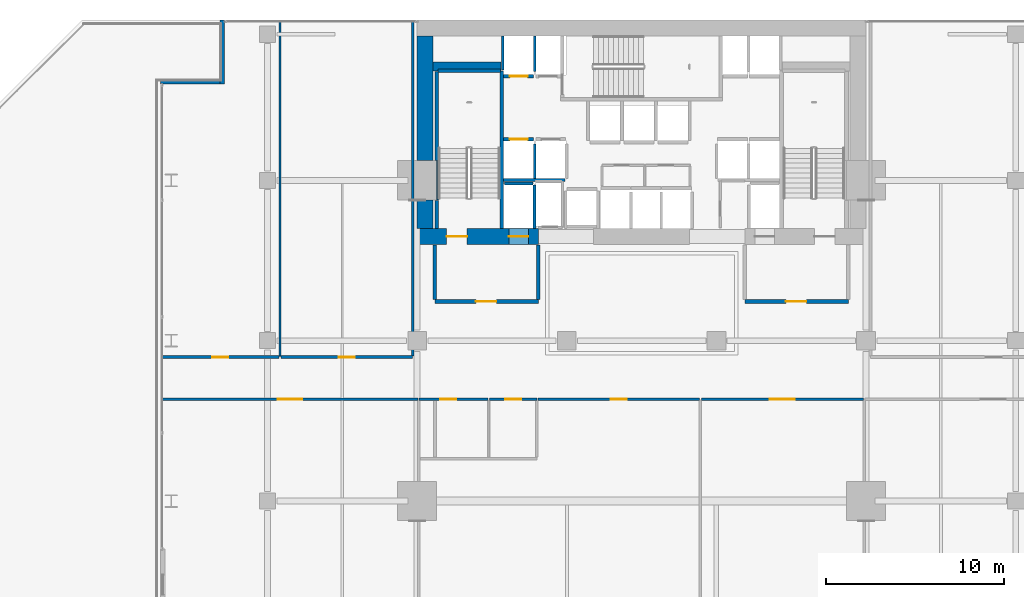
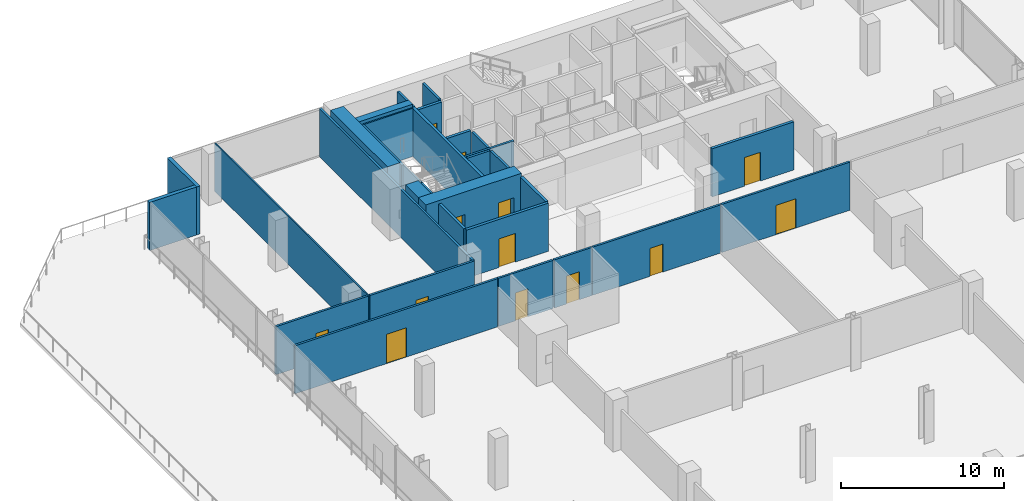
# One storey, part 25 of 31: 32 walls, 13 doors, 13 openings.
"""IFC4 building model written with IfcOpenShell, lengths in metres."""

from ifc_helpers import new_model, si_unit, direction, frame, frame_2d, origin, place, context, subcontext, project, spatial, rectangle, extrude, material, layer, layer_set, type_object, element, fill, save


model = new_model("IFC4")

# Units and contexts
model_context = context("Model", 3, precision=1e-05, world=origin(), true_north=direction((0.0, 1.0)))
body_context = subcontext(model_context, "Body", "Model", "MODEL_VIEW")
ifc_project = project(units=[si_unit("LENGTHUNIT", "METRE"), si_unit("AREAUNIT", "SQUARE_METRE"), si_unit("VOLUMEUNIT", "CUBIC_METRE"), si_unit("PLANEANGLEUNIT", "RADIAN"), si_unit("MASSUNIT", "GRAM", prefix="KILO")], contexts=[model_context])

# Site, building, storey
site_placement = place(None, origin())
site = spatial("IfcSite", under=ifc_project, at=site_placement, CompositionType="ELEMENT")
building_placement = place(site_placement, origin())
building = spatial("IfcBuilding", under=site, at=building_placement, Name="Maruvema Waterfront Hotel and Observation Tower", CompositionType="ELEMENT")
storey_placement = place(building_placement, frame((0.0, 0.0, 26.949951171875)))
storey = spatial("IfcBuildingStorey", under=building, at=storey_placement, Name="L05", CompositionType="ELEMENT", Elevation=26.949951171875)

# Wall, opening, door
ifc_material_1 = material(Name="Twin-stud acoustic gypsum drywall", Category="gypsum")
ifc_layer_1 = layer(ifc_material_1, 0.14990234375, Name="Acoustic Corridor and Suite Demising Wall 150 mm")
ifc_layer_set_1 = layer_set([ifc_layer_1], Name="Twin-stud acoustic gypsum drywall")
wall_type_1 = type_object("IfcWallType", Name="Acoustic Corridor and Suite Demising Wall 150 mm", PredefinedType="PARTITIONING", material=ifc_layer_set_1)
wall_1_placement = place(storey_placement, frame((25.300048828125, 32.719970703125, 0.0), z_axis=(0.0, 0.0, 1.0), x_axis=(1.0, 0.0, 0.0)))
wall_1 = element("IfcWall", 1, at=wall_1_placement, inside=storey, type_object=wall_type_1, Name="L05 L05 Public WC North 017", PredefinedType="PARTITIONING", context=body_context, shape_type="SweptSolid", body=[
    extrude(rectangle(XDim=3.8798828125, YDim=0.14990234375, at=frame_2d((1.93994140625, 0.0))), origin(), (0.0, 0.0, 1.0), 3.610107421875),
])
opening_1_placement = place(wall_1_placement, frame((1.199951171875, 0.0, 0.0)))
opening_1 = element("IfcOpeningElement", 2, at=opening_1_placement, cuts=wall_1, Name="Opening DR-090", PredefinedType="OPENING", context=body_context, shape_type="SweptSolid", body=[
    extrude(rectangle(XDim=0.89990234375, YDim=2.10009765625, at=frame_2d((0.449951171875, 1.050048828125))), frame((0.0, 0.0849609375, 0.0), z_axis=(0.0, -1.0, 0.0), x_axis=(1.0, 0.0, 0.0)), (0.0, 0.0, 1.0), 0.169921875),
])
ifc_material_2 = material(Name="Solid-core lacquered timber leaf", Category="wood")
door_type_1 = type_object("IfcDoorType", Name="Accessible Toilet and Room Door 900x2100 mm", OperationType="NOTDEFINED", PredefinedType="DOOR", material=ifc_material_2)
door_1_placement = place(opening_1_placement, origin())
door_1 = element("IfcDoor", 3, at=door_1_placement, inside=storey, type_object=door_type_1, Name="L05 Public Toilet Door", OperationType="SINGLE_SWING_RIGHT", OverallHeight=2.10009765625, OverallWidth=0.89990234375, PredefinedType="DOOR", context=body_context, shape_type="SweptSolid", body=[
    extrude(rectangle(XDim=0.89990234375, YDim=2.10009765625, at=frame_2d((0.449951171875, 1.050048828125))), frame((0.0, 0.02490234375, 0.0), z_axis=(0.0, -1.0, 0.0), x_axis=(1.0, 0.0, 0.0)), (0.0, 0.0, 1.0), 0.050048828125),
])
fill(opening_1, door_1)

wall_2_placement = place(storey_placement, frame((29.260009765625, 32.719970703125, 0.0), z_axis=(0.0, 0.0, 1.0), x_axis=(1.0, 0.0, 0.0)))
wall_2 = element("IfcWall", 4, at=wall_2_placement, inside=storey, type_object=wall_type_1, Name="L05 L05 Acc WC North 018", PredefinedType="PARTITIONING", context=body_context, shape_type="SweptSolid", body=[
    extrude(rectangle(XDim=2.659912109375, YDim=0.14990234375, at=frame_2d((1.330078125, 0.0))), origin(), (0.0, 0.0, 1.0), 3.610107421875),
])
opening_2_placement = place(wall_2_placement, frame((0.8798828125, 0.0, 0.0)))
opening_2 = element("IfcOpeningElement", 5, at=opening_2_placement, cuts=wall_2, Name="Opening DR-090", PredefinedType="OPENING", context=body_context, shape_type="SweptSolid", body=[
    extrude(rectangle(XDim=0.89990234375, YDim=2.10009765625, at=frame_2d((0.449951171875, 1.050048828125))), frame((0.0, 0.0849609375, 0.0), z_axis=(0.0, -1.0, 0.0), x_axis=(1.0, 0.0, 0.0)), (0.0, 0.0, 1.0), 0.169921875),
])
door_2_placement = place(opening_2_placement, origin())
door_2 = element("IfcDoor", 6, at=door_2_placement, inside=storey, type_object=door_type_1, Name="L05 Accessible WC Door", OperationType="SINGLE_SWING_LEFT", OverallHeight=2.10009765625, OverallWidth=0.89990234375, PredefinedType="DOOR", context=body_context, shape_type="SweptSolid", body=[
    extrude(rectangle(XDim=0.89990234375, YDim=2.10009765625, at=frame_2d((0.449951171875, 1.050048828125))), frame((0.0, 0.02490234375, 0.0), z_axis=(0.0, -1.0, 0.0), x_axis=(1.0, 0.0, 0.0)), (0.0, 0.0, 1.0), 0.050048828125),
])
fill(opening_2, door_2)

wall_3_placement = place(storey_placement, frame((10.8798828125, 32.719970703125, 0.0), z_axis=(0.0, 0.0, 1.0), x_axis=(1.0, 0.0, 0.0)))
wall_3 = element("IfcWall", 7, at=wall_3_placement, inside=storey, type_object=wall_type_1, Name="L05 L05 Spa North 025", PredefinedType="PARTITIONING", context=body_context, shape_type="SweptSolid", body=[
    extrude(rectangle(XDim=14.3701171875, YDim=0.14990234375, at=frame_2d((7.18505859375, 0.0))), origin(), (0.0, 0.0, 1.0), 3.610107421875),
])
opening_3_placement = place(wall_3_placement, frame((6.485107421875, 0.0, 0.0)))
opening_3 = element("IfcOpeningElement", 8, at=opening_3_placement, cuts=wall_3, Name="Opening DR-140", PredefinedType="OPENING", context=body_context, shape_type="SweptSolid", body=[
    extrude(rectangle(XDim=1.39990234375, YDim=2.199951171875, at=frame_2d((0.699951171875, 1.10009765625))), frame((0.0, 0.0849609375, 0.0), z_axis=(0.0, -1.0, 0.0), x_axis=(1.0, 0.0, 0.0)), (0.0, 0.0, 1.0), 0.169921875),
])
ifc_material_3 = material(Name="Anodised bronze framed acoustic glass leaf", Category="glass")
door_type_2 = type_object("IfcDoorType", Name="Conference and Restaurant Double Door 1400x2200 mm", OperationType="DOUBLE_DOOR_SINGLE_SWING", PredefinedType="DOOR", material=ifc_material_3)
door_3_placement = place(opening_3_placement, origin())
door_3 = element("IfcDoor", 9, at=door_3_placement, inside=storey, type_object=door_type_2, Name="L05 Wellness Spa Door", OperationType="DOUBLE_DOOR_SINGLE_SWING", OverallHeight=2.199951171875, OverallWidth=1.39990234375, PredefinedType="DOOR", context=body_context, shape_type="SweptSolid", body=[
    extrude(rectangle(XDim=1.39990234375, YDim=2.199951171875, at=frame_2d((0.699951171875, 1.10009765625))), frame((0.0, 0.02490234375, 0.0), z_axis=(0.0, -1.0, 0.0), x_axis=(1.0, 0.0, 0.0)), (0.0, 0.0, 1.0), 0.050048828125),
])
fill(opening_3, door_3)

wall_4_placement = place(storey_placement, frame((31.97998046875, 32.719970703125, 0.0), z_axis=(0.0, 0.0, 1.0), x_axis=(1.0, 0.0, 0.0)))
wall_4 = element("IfcWall", 10, at=wall_4_placement, inside=storey, type_object=wall_type_1, Name="L05 L05 Changing North 026", PredefinedType="PARTITIONING", context=body_context, shape_type="SweptSolid", body=[
    extrude(rectangle(XDim=9.070068359375, YDim=0.14990234375, at=frame_2d((4.53515625, 0.0))), origin(), (0.0, 0.0, 1.0), 3.610107421875),
])
opening_4_placement = place(wall_4_placement, frame((4.0849609375, 0.0, 0.0)))
opening_4 = element("IfcOpeningElement", 11, at=opening_4_placement, cuts=wall_4, Name="Opening DR-090", PredefinedType="OPENING", context=body_context, shape_type="SweptSolid", body=[
    extrude(rectangle(XDim=0.89990234375, YDim=2.10009765625, at=frame_2d((0.449951171875, 1.050048828125))), frame((0.0, 0.0849609375, 0.0), z_axis=(0.0, -1.0, 0.0), x_axis=(1.0, 0.0, 0.0)), (0.0, 0.0, 1.0), 0.169921875),
])
door_4_placement = place(opening_4_placement, origin())
door_4 = element("IfcDoor", 12, at=door_4_placement, inside=storey, type_object=door_type_1, Name="L05 Spa Changing Door", OperationType="SINGLE_SWING_RIGHT", OverallHeight=2.10009765625, OverallWidth=0.89990234375, PredefinedType="DOOR", context=body_context, shape_type="SweptSolid", body=[
    extrude(rectangle(XDim=0.89990234375, YDim=2.10009765625, at=frame_2d((0.449951171875, 1.050048828125))), frame((0.0, 0.02490234375, 0.0), z_axis=(0.0, -1.0, 0.0), x_axis=(1.0, 0.0, 0.0)), (0.0, 0.0, 1.0), 0.050048828125),
])
fill(opening_4, door_4)

wall_5_placement = place(storey_placement, frame((41.14990234375, 32.719970703125, 0.0), z_axis=(0.0, 0.0, 1.0), x_axis=(1.0, 0.0, 0.0)))
wall_5 = element("IfcWall", 13, at=wall_5_placement, inside=storey, type_object=wall_type_1, Name="L05 L05 Juice North 027", PredefinedType="PARTITIONING", context=body_context, shape_type="SweptSolid", body=[
    extrude(rectangle(XDim=9.10009765625, YDim=0.14990234375, at=frame_2d((4.550048828125, 0.0))), origin(), (0.0, 0.0, 1.0), 3.610107421875),
])
opening_5_placement = place(wall_5_placement, frame((3.85009765625, 0.0, 0.0)))
opening_5 = element("IfcOpeningElement", 14, at=opening_5_placement, cuts=wall_5, Name="Opening DR-140", PredefinedType="OPENING", context=body_context, shape_type="SweptSolid", body=[
    extrude(rectangle(XDim=1.39990234375, YDim=2.199951171875, at=frame_2d((0.699951171875, 1.10009765625))), frame((0.0, 0.0849609375, 0.0), z_axis=(0.0, -1.0, 0.0), x_axis=(1.0, 0.0, 0.0)), (0.0, 0.0, 1.0), 0.169921875),
])
door_5_placement = place(opening_5_placement, origin())
door_5 = element("IfcDoor", 15, at=door_5_placement, inside=storey, type_object=door_type_2, Name="L05 Juice Bar Door", OperationType="DOUBLE_DOOR_SINGLE_SWING", OverallHeight=2.199951171875, OverallWidth=1.39990234375, PredefinedType="DOOR", context=body_context, shape_type="SweptSolid", body=[
    extrude(rectangle(XDim=1.39990234375, YDim=2.199951171875, at=frame_2d((0.699951171875, 1.10009765625))), frame((0.0, 0.02490234375, 0.0), z_axis=(0.0, -1.0, 0.0), x_axis=(1.0, 0.0, 0.0)), (0.0, 0.0, 1.0), 0.050048828125),
])
fill(opening_5, door_5)

wall_6_placement = place(storey_placement, frame((10.8798828125, 35.080078125, 0.0), z_axis=(0.0, 0.0, 1.0), x_axis=(1.0, 0.0, 0.0)))
wall_6 = element("IfcWall", 16, at=wall_6_placement, inside=storey, type_object=wall_type_1, Name="L05 L05 Thalasso South 031", PredefinedType="PARTITIONING", context=body_context, shape_type="SweptSolid", body=[
    extrude(rectangle(XDim=6.56005859375, YDim=0.14990234375, at=frame_2d((3.280029296875, 0.0))), origin(), (0.0, 0.0, 1.0), 3.610107421875),
])
opening_6_placement = place(wall_6_placement, frame((2.830078125, 0.0, 0.0)))
opening_6 = element("IfcOpeningElement", 17, at=opening_6_placement, cuts=wall_6, Name="Opening DR-090", PredefinedType="OPENING", context=body_context, shape_type="SweptSolid", body=[
    extrude(rectangle(XDim=0.89990234375, YDim=2.10009765625, at=frame_2d((0.449951171875, 1.050048828125))), frame((0.0, 0.0849609375, 0.0), z_axis=(0.0, -1.0, 0.0), x_axis=(1.0, 0.0, 0.0)), (0.0, 0.0, 1.0), 0.169921875),
])
door_6_placement = place(opening_6_placement, frame((0.89990234375, 0.0, 0.0), z_axis=(0.0, 0.0, 1.0), x_axis=(-1.0, 0.0, 0.0)))
door_6 = element("IfcDoor", 18, at=door_6_placement, inside=storey, type_object=door_type_1, Name="L05 Thalasso Suite Door", OperationType="SINGLE_SWING_LEFT", OverallHeight=2.10009765625, OverallWidth=0.89990234375, PredefinedType="DOOR", context=body_context, shape_type="SweptSolid", body=[
    extrude(rectangle(XDim=0.89990234375, YDim=2.10009765625, at=frame_2d((0.449951171875, 1.050048828125))), frame((0.0, 0.02490234375, 0.0), z_axis=(0.0, -1.0, 0.0), x_axis=(1.0, 0.0, 0.0)), (0.0, 0.0, 1.0), 0.050048828125),
])
fill(opening_6, door_6)

wall_7_placement = place(storey_placement, frame((17.56005859375, 35.080078125, 0.0), z_axis=(0.0, 0.0, 1.0), x_axis=(1.0, 0.0, 0.0)))
wall_7 = element("IfcWall", 19, at=wall_7_placement, inside=storey, type_object=wall_type_1, Name="L05 L05 Hydro South 032", PredefinedType="PARTITIONING", context=body_context, shape_type="SweptSolid", body=[
    extrude(rectangle(XDim=7.389892578125, YDim=0.14990234375, at=frame_2d((3.69482421875, 0.0))), origin(), (0.0, 0.0, 1.0), 3.610107421875),
])
opening_7_placement = place(wall_7_placement, frame((3.2451171875, 0.0, 0.0)))
opening_7 = element("IfcOpeningElement", 20, at=opening_7_placement, cuts=wall_7, Name="Opening DR-090", PredefinedType="OPENING", context=body_context, shape_type="SweptSolid", body=[
    extrude(rectangle(XDim=0.89990234375, YDim=2.10009765625, at=frame_2d((0.449951171875, 1.050048828125))), frame((0.0, 0.0849609375, 0.0), z_axis=(0.0, -1.0, 0.0), x_axis=(1.0, 0.0, 0.0)), (0.0, 0.0, 1.0), 0.169921875),
])
door_7_placement = place(opening_7_placement, frame((0.89990234375, 0.0, 0.0), z_axis=(0.0, 0.0, 1.0), x_axis=(-1.0, 0.0, 0.0)))
door_7 = element("IfcDoor", 21, at=door_7_placement, inside=storey, type_object=door_type_1, Name="L05 Hydrotherapy Door", OperationType="SINGLE_SWING_RIGHT", OverallHeight=2.10009765625, OverallWidth=0.89990234375, PredefinedType="DOOR", context=body_context, shape_type="SweptSolid", body=[
    extrude(rectangle(XDim=0.89990234375, YDim=2.10009765625, at=frame_2d((0.449951171875, 1.050048828125))), frame((0.0, 0.02490234375, 0.0), z_axis=(0.0, -1.0, 0.0), x_axis=(1.0, 0.0, 0.0)), (0.0, 0.0, 1.0), 0.050048828125),
])
fill(opening_7, door_7)

# Walls
wall_8_placement = place(storey_placement, frame((24.949951171875, 35.139892578125, 0.0), z_axis=(0.0, 0.0, 1.0), x_axis=(0.0, 1.0, 0.0)))
element("IfcWall", 22, at=wall_8_placement, inside=storey, type_object=wall_type_1, Name="L05 L05 Hydro East 034", PredefinedType="PARTITIONING", context=body_context, shape_type="SweptSolid", body=[
    extrude(rectangle(XDim=18.780029296875, YDim=0.14990234375, at=frame_2d((9.39013671875, 0.0))), origin(), (0.0, 0.0, 1.0), 3.610107421875),
])
ifc_material_4 = material(Name="Precast concrete C45/55", Category="concrete")
ifc_layer_2 = layer(ifc_material_4, 0.199951171875, Name="Core Shaft and Stairwell Enclosure Wall 200 mm")
ifc_layer_set_2 = layer_set([ifc_layer_2], Name="Precast concrete C45/55")
wall_type_2 = type_object("IfcWallType", Name="Core Shaft and Stairwell Enclosure Wall 200 mm", PredefinedType="SOLIDWALL", material=ifc_layer_set_2)
wall_9_placement = place(storey_placement, frame((29.949951171875, 42.300048828125, 0.0), z_axis=(0.0, 0.0, 1.0), x_axis=(0.0, 1.0, 0.0)))
element("IfcWall", 23, at=wall_9_placement, inside=storey, type_object=wall_type_2, Name="L05 Stairwell ST-01 East Shaft Wall", PredefinedType="SOLIDWALL", context=body_context, shape_type="SweptSolid", body=[
    extrude(rectangle(XDim=8.849853515625, YDim=0.199951171875, at=frame_2d((4.4248046875, 0.0))), origin(), (0.0, 0.0, 1.0), 3.610107421875),
])
wall_10_placement = place(storey_placement, frame((26.300048828125, 42.300048828125, 0.0), z_axis=(0.0, 0.0, 1.0), x_axis=(0.0, 1.0, 0.0)))
element("IfcWall", 24, at=wall_10_placement, inside=storey, type_object=wall_type_2, Name="L05 Stairwell ST-01 Shaft Lining Wall", PredefinedType="SOLIDWALL", context=body_context, shape_type="SweptSolid", body=[
    extrude(rectangle(XDim=1.579833984375, YDim=0.199951171875, at=frame_2d((0.7900390625, 0.0))), origin(), (0.0, 0.0, 1.0), 3.610107421875),
])
wall_11_placement = place(storey_placement, frame((26.300048828125, 46.1201171875, 0.0), z_axis=(0.0, 0.0, 1.0), x_axis=(0.0, 1.0, 0.0)))
element("IfcWall", 25, at=wall_11_placement, inside=storey, type_object=wall_type_2, Name="L05 Stairwell ST-01 Shaft Lining Wall", PredefinedType="SOLIDWALL", context=body_context, shape_type="SweptSolid", body=[
    extrude(rectangle(XDim=5.0, YDim=0.199951171875, at=frame_2d((2.5, 0.0))), origin(), (0.0, 0.0, 1.0), 3.610107421875),
])
wall_12_placement = place(storey_placement, frame((26.3798828125, 51.14990234375, 0.0), z_axis=(0.0, 0.0, 1.0), x_axis=(1.0, 0.0, 0.0)))
element("IfcWall", 26, at=wall_12_placement, inside=storey, type_object=wall_type_2, Name="L05 Stairwell ST-01 Shaft Lining Wall", PredefinedType="SOLIDWALL", context=body_context, shape_type="SweptSolid", body=[
    extrude(rectangle(XDim=3.5, YDim=0.199951171875, at=frame_2d((1.75, 0.0))), origin(), (0.0, 0.0, 1.0), 3.610107421875),
])

# Wall, opening, door
wall_13_placement = place(storey_placement, frame((30.06005859375, 47.300048828125, 0.0), z_axis=(0.0, 0.0, 1.0), x_axis=(1.0, 0.0, 0.0)))
wall_13 = element("IfcWall", 27, at=wall_13_placement, inside=storey, type_object=wall_type_2, Name="L05 Lift LF-01 Hoistway Front Wall", PredefinedType="SOLIDWALL", context=body_context, shape_type="SweptSolid", body=[
    extrude(rectangle(XDim=1.679931640625, YDim=0.199951171875, at=frame_2d((0.83984375, 0.0))), origin(), (0.0, 0.0, 1.0), 3.610107421875),
])
opening_8_placement = place(wall_13_placement, frame((0.340087890625, 0.0, 0.0)))
opening_8 = element("IfcOpeningElement", 28, at=opening_8_placement, cuts=wall_13, Name="Opening LD-01", PredefinedType="OPENING", context=body_context, shape_type="SweptSolid", body=[
    extrude(rectangle(XDim=1.0, YDim=2.14990234375, at=frame_2d((0.5, 1.074951171875))), frame((0.0, 0.10986328125, 0.0), z_axis=(0.0, -1.0, 0.0), x_axis=(1.0, 0.0, 0.0)), (0.0, 0.0, 1.0), 0.219970703125),
])
ifc_material_5 = material(Name="Brushed stainless steel Grade 316", Category="steel")
door_type_3 = type_object("IfcDoorType", Name="Passenger Lift Sliding Landing Door 1000x2150 mm", OperationType="SLIDING_TO_LEFT", PredefinedType="DOOR", material=ifc_material_5)
door_8_placement = place(opening_8_placement, origin())
door_8 = element("IfcDoor", 29, at=door_8_placement, inside=storey, type_object=door_type_3, Name="L05 Lift LF-01 Sliding Landing Door", OperationType="SLIDING_TO_LEFT", OverallHeight=2.14990234375, OverallWidth=1.0, PredefinedType="DOOR", context=body_context, shape_type="SweptSolid", body=[
    extrude(rectangle(XDim=1.0, YDim=2.14990234375, at=frame_2d((0.5, 1.074951171875))), frame((0.0, 0.02490234375, 0.0), z_axis=(0.0, -1.0, 0.0), x_axis=(1.0, 0.0, 0.0)), (0.0, 0.0, 1.0), 0.050048828125),
])
fill(opening_8, door_8)

wall_14_placement = place(storey_placement, frame((30.06005859375, 50.85009765625, 0.0), z_axis=(0.0, 0.0, 1.0), x_axis=(1.0, 0.0, 0.0)))
wall_14 = element("IfcWall", 30, at=wall_14_placement, inside=storey, type_object=wall_type_2, Name="L05 Lift LF-03 Hoistway Front Wall", PredefinedType="SOLIDWALL", context=body_context, shape_type="SweptSolid", body=[
    extrude(rectangle(XDim=1.679931640625, YDim=0.199951171875, at=frame_2d((0.83984375, 0.0))), origin(), (0.0, 0.0, 1.0), 3.610107421875),
])
opening_9_placement = place(wall_14_placement, frame((0.340087890625, 0.0, 0.0)))
opening_9 = element("IfcOpeningElement", 31, at=opening_9_placement, cuts=wall_14, Name="Opening LD-01", PredefinedType="OPENING", context=body_context, shape_type="SweptSolid", body=[
    extrude(rectangle(XDim=1.0, YDim=2.14990234375, at=frame_2d((0.5, 1.074951171875))), frame((0.0, 0.10986328125, 0.0), z_axis=(0.0, -1.0, 0.0), x_axis=(1.0, 0.0, 0.0)), (0.0, 0.0, 1.0), 0.219970703125),
])
door_9_placement = place(opening_9_placement, frame((1.0, 0.0, 0.0), z_axis=(0.0, 0.0, 1.0), x_axis=(-1.0, 0.0, 0.0)))
door_9 = element("IfcDoor", 32, at=door_9_placement, inside=storey, type_object=door_type_3, Name="L05 Lift LF-03 Sliding Landing Door", OperationType="SLIDING_TO_LEFT", OverallHeight=2.14990234375, OverallWidth=1.0, PredefinedType="DOOR", context=body_context, shape_type="SweptSolid", body=[
    extrude(rectangle(XDim=1.0, YDim=2.14990234375, at=frame_2d((0.5, 1.074951171875))), frame((0.0, 0.02490234375, 0.0), z_axis=(0.0, -1.0, 0.0), x_axis=(1.0, 0.0, 0.0)), (0.0, 0.0, 1.0), 0.050048828125),
])
fill(opening_9, door_9)

# Wall
ifc_material_6 = material(Name="Concrete C70/85", Category="concrete")
ifc_layer_3 = layer(ifc_material_6, 0.5, Name="Core Shear Wall 500 mm")
ifc_layer_set_3 = layer_set([ifc_layer_3], Name="Concrete C70/85")
wall_type_3 = type_object("IfcWallType", Name="Core Shear Wall 500 mm", PredefinedType="SHEAR", material=ifc_layer_set_3)
wall_15_placement = place(storey_placement, frame((26.10009765625, 51.39990234375, 0.0), z_axis=(0.0, 0.0, 1.0), x_axis=(1.0, 0.0, 0.0)))
element("IfcWall", 33, at=wall_15_placement, inside=storey, type_object=wall_type_3, Name="L05 Internal Core Shear Wall NW 500 mm", PredefinedType="SHEAR", context=body_context, shape_type="SweptSolid", body=[
    extrude(rectangle(XDim=3.7998046875, YDim=0.5, at=frame_2d((1.89990234375, 0.0))), origin(), (0.0, 0.0, 1.0), 3.85009765625),
])

# Wall, openings, doors
ifc_material_7 = material(Name="Concrete C80/95", Category="concrete")
ifc_layer_4 = layer(ifc_material_7, 0.89990234375, Name="Core Shear Wall 900 mm")
ifc_layer_set_4 = layer_set([ifc_layer_4], Name="Concrete C80/95")
wall_type_4 = type_object("IfcWallType", Name="Core Shear Wall 900 mm", PredefinedType="SHEAR", material=ifc_layer_set_4)
wall_16_placement = place(storey_placement, frame((25.199951171875, 41.85009765625, 0.0), z_axis=(0.0, 0.0, 1.0), x_axis=(1.0, 0.0, 0.0)))
wall_16 = element("IfcWall", 34, at=wall_16_placement, inside=storey, type_object=wall_type_4, Name="L05 South-West Core Shear Wall", PredefinedType="SHEAR", context=body_context, shape_type="SweptSolid", body=[
    extrude(rectangle(XDim=6.800048828125, YDim=0.89990234375, at=frame_2d((3.39990234375, 0.0))), origin(), (0.0, 0.0, 1.0), 3.85009765625),
])
opening_10_placement = place(wall_16_placement, frame((1.64990234375, 0.0, 0.0)))
opening_10 = element("IfcOpeningElement", 35, at=opening_10_placement, cuts=wall_16, Name="Opening SD-01", PredefinedType="OPENING", context=body_context, shape_type="SweptSolid", body=[
    extrude(rectangle(XDim=1.14990234375, YDim=2.14990234375, at=frame_2d((0.574951171875, 1.074951171875))), frame((0.0, 0.4599609375, 0.0), z_axis=(0.0, -1.0, 0.0), x_axis=(1.0, 0.0, 0.0)), (0.0, 0.0, 1.0), 0.919921875),
])
opening_11_placement = place(wall_16_placement, frame((5.14990234375, 0.0, 0.0)))
opening_11 = element("IfcOpeningElement", 36, at=opening_11_placement, cuts=wall_16, Name="Opening LD-03", PredefinedType="OPENING", context=body_context, shape_type="SweptSolid", body=[
    extrude(rectangle(XDim=1.10009765625, YDim=2.199951171875, at=frame_2d((0.550048828125, 1.10009765625))), frame((0.0, 0.4599609375, 0.0), z_axis=(0.0, -1.0, 0.0), x_axis=(1.0, 0.0, 0.0)), (0.0, 0.0, 1.0), 0.919921875),
])
ifc_material_8 = material(Name="Fire-rated galvanised steel leaf", Category="steel")
door_type_4 = type_object("IfcDoorType", Name="Exit Stair Fire Door 1150x2150 mm", OperationType="NOTDEFINED", PredefinedType="DOOR", material=ifc_material_8)
door_10_placement = place(opening_10_placement, origin())
door_10 = element("IfcDoor", 37, at=door_10_placement, inside=storey, type_object=door_type_4, Name="L05 Exit Stair ST-01 Fire Door", OperationType="SINGLE_SWING_LEFT", OverallHeight=2.14990234375, OverallWidth=1.14990234375, PredefinedType="DOOR", context=body_context, shape_type="SweptSolid", body=[
    extrude(rectangle(XDim=1.14990234375, YDim=2.14990234375, at=frame_2d((0.574951171875, 1.074951171875))), frame((0.0, 0.02490234375, 0.0), z_axis=(0.0, -1.0, 0.0), x_axis=(1.0, 0.0, 0.0)), (0.0, 0.0, 1.0), 0.050048828125),
])
fill(opening_10, door_10)
ifc_material_9 = material(Name="Brushed stainless steel Grade 316", Category="steel")
door_type_5 = type_object("IfcDoorType", Name="Firefighting Lift Sliding Landing Door 1100x2200 mm", OperationType="SLIDING_TO_LEFT", PredefinedType="DOOR", material=ifc_material_9)
door_11_placement = place(opening_11_placement, frame((1.10009765625, 0.0, 0.0), z_axis=(0.0, 0.0, 1.0), x_axis=(-1.0, 0.0, 0.0)))
door_11 = element("IfcDoor", 38, at=door_11_placement, inside=storey, type_object=door_type_5, Name="L05 Firefighting Lift FL-01 Landing Door", OperationType="SLIDING_TO_LEFT", OverallHeight=2.199951171875, OverallWidth=1.10009765625, PredefinedType="DOOR", context=body_context, shape_type="SweptSolid", body=[
    extrude(rectangle(XDim=1.10009765625, YDim=2.199951171875, at=frame_2d((0.550048828125, 1.10009765625))), frame((0.0, 0.02490234375, 0.0), z_axis=(0.0, -1.0, 0.0), x_axis=(1.0, 0.0, 0.0)), (0.0, 0.0, 1.0), 0.050048828125),
])
fill(opening_11, door_11)

# Walls
wall_17_placement = place(storey_placement, frame((25.64990234375, 42.300048828125, 0.0), z_axis=(0.0, 0.0, 1.0), x_axis=(0.0, 1.0, 0.0)))
element("IfcWall", 39, at=wall_17_placement, inside=storey, type_object=wall_type_4, Name="L05 West-South Core Shear Wall", PredefinedType="SHEAR", context=body_context, shape_type="SweptSolid", body=[
    extrude(rectangle(XDim=1.599853515625, YDim=0.89990234375, at=frame_2d((0.7998046875, 0.0))), origin(), (0.0, 0.0, 1.0), 3.85009765625),
])
wall_18_placement = place(storey_placement, frame((25.64990234375, 46.10009765625, 0.0), z_axis=(0.0, 0.0, 1.0), x_axis=(0.0, 1.0, 0.0)))
element("IfcWall", 40, at=wall_18_placement, inside=storey, type_object=wall_type_4, Name="L05 West-North Core Shear Wall", PredefinedType="SHEAR", context=body_context, shape_type="SweptSolid", body=[
    extrude(rectangle(XDim=7.0, YDim=0.89990234375, at=frame_2d((3.5, 0.0))), origin(), (0.0, 0.0, 1.0), 3.85009765625),
])
ifc_material_10 = material(Name="Moisture-resistant cement-board drywall", Category="gypsum")
ifc_layer_5 = layer(ifc_material_10, 0.10009765625, Name="En-Suite Moisture-Resistant Partition 100 mm")
ifc_layer_set_5 = layer_set([ifc_layer_5], Name="Moisture-resistant cement-board drywall")
wall_type_5 = type_object("IfcWallType", Name="En-Suite Moisture-Resistant Partition 100 mm", PredefinedType="PARTITIONING", material=ifc_layer_set_5)
wall_19_placement = place(storey_placement, frame((17.5, 35.139892578125, 0.0), z_axis=(0.0, 0.0, 1.0), x_axis=(0.0, 1.0, 0.0)))
element("IfcWall", 41, at=wall_19_placement, inside=storey, type_object=wall_type_5, Name="L05 L05 Hydro Split 033", PredefinedType="PARTITIONING", context=body_context, shape_type="SweptSolid", body=[
    extrude(rectangle(XDim=18.780029296875, YDim=0.10009765625, at=frame_2d((9.39013671875, 0.0))), origin(), (0.0, 0.0, 1.0), 3.610107421875),
])
ifc_material_11 = material(Name="Precast concrete C45/55 with honed Pernambuco granite facing", Category="masonry")
ifc_layer_6 = layer(ifc_material_11, 0.260009765625, Name="Exterior Granite Clad Spandrel and Pier Wall 260 mm")
ifc_layer_set_6 = layer_set([ifc_layer_6], Name="Precast concrete C45/55 with honed Pernambuco granite facing")
wall_type_6 = type_object("IfcWallType", Name="Exterior Granite Clad Spandrel and Pier Wall 260 mm", PredefinedType="SOLIDWALL", material=ifc_layer_set_6)
wall_20_placement = place(storey_placement, frame((14.27001953125, 50.39990234375, 0.0), z_axis=(0.0, 0.0, 1.0), x_axis=(0.0, 1.0, 0.0)))
element("IfcWall", 42, at=wall_20_placement, inside=storey, type_object=wall_type_6, Name="L05 Corner Notch Granite Pier Wall NW1", PredefinedType="SOLIDWALL", context=body_context, shape_type="SweptSolid", body=[
    extrude(rectangle(XDim=3.60009765625, YDim=0.260009765625, at=frame_2d((1.800048828125, 0.0))), origin(), (0.0, 0.0, 1.0), 3.610107421875),
])
wall_21_placement = place(storey_placement, frame((10.800048828125, 50.530029296875, 0.0), z_axis=(0.0, 0.0, 1.0), x_axis=(1.0, 0.0, 0.0)))
element("IfcWall", 43, at=wall_21_placement, inside=storey, type_object=wall_type_6, Name="L05 Corner Notch Granite Pier Wall NW2", PredefinedType="SOLIDWALL", context=body_context, shape_type="SweptSolid", body=[
    extrude(rectangle(XDim=3.599853515625, YDim=0.260009765625, at=frame_2d((1.7998046875, 0.0))), origin(), (0.0, 0.0, 1.0), 3.610107421875),
])

# Wall, opening, door
ifc_material_12 = material(Name="Autoclaved cellular concrete blockwork", Category="masonry")
ifc_layer_7 = layer(ifc_material_12, 0.199951171875, Name="Fire Compartment Masonry Wall 200 mm")
ifc_layer_set_7 = layer_set([ifc_layer_7], Name="Autoclaved cellular concrete blockwork")
wall_type_7 = type_object("IfcWallType", Name="Fire Compartment Masonry Wall 200 mm", PredefinedType="PARTITIONING", material=ifc_layer_set_7)
wall_22_placement = place(storey_placement, frame((26.199951171875, 38.199951171875, 0.0), z_axis=(0.0, 0.0, 1.0), x_axis=(1.0, 0.0, 0.0)))
wall_22 = element("IfcWall", 44, at=wall_22_placement, inside=storey, type_object=wall_type_7, Name="L05 FFL West South Wall 001", PredefinedType="PARTITIONING", context=body_context, shape_type="SweptSolid", body=[
    extrude(rectangle(XDim=5.800048828125, YDim=0.199951171875, at=frame_2d((2.89990234375, 0.0))), origin(), (0.0, 0.0, 1.0), 3.610107421875),
])
opening_12_placement = place(wall_22_placement, frame((2.300048828125, 0.0, 0.0)))
opening_12 = element("IfcOpeningElement", 45, at=opening_12_placement, cuts=wall_22, Name="Opening FD-115", PredefinedType="OPENING", context=body_context, shape_type="SweptSolid", body=[
    extrude(rectangle(XDim=1.14990234375, YDim=2.14990234375, at=frame_2d((0.574951171875, 1.074951171875))), frame((0.0, 0.10986328125, 0.0), z_axis=(0.0, -1.0, 0.0), x_axis=(1.0, 0.0, 0.0)), (0.0, 0.0, 1.0), 0.219970703125),
])
ifc_material_13 = material(Name="Fire-rated galvanised steel and vision glass", Category="steel")
door_type_6 = type_object("IfcDoorType", Name="Firefighting Lobby Fire Door 1150x2150 mm", OperationType="NOTDEFINED", PredefinedType="DOOR", material=ifc_material_13)
door_12_placement = place(opening_12_placement, frame((1.14990234375, 0.0, 0.0), z_axis=(0.0, 0.0, 1.0), x_axis=(-1.0, 0.0, 0.0)))
door_12 = element("IfcDoor", 46, at=door_12_placement, inside=storey, type_object=door_type_6, Name="L05 Firefighting Lobby West Door", OperationType="SINGLE_SWING_RIGHT", OverallHeight=2.14990234375, OverallWidth=1.14990234375, PredefinedType="DOOR", context=body_context, shape_type="SweptSolid", body=[
    extrude(rectangle(XDim=1.14990234375, YDim=2.14990234375, at=frame_2d((0.574951171875, 1.074951171875))), frame((0.0, 0.02490234375, 0.0), z_axis=(0.0, -1.0, 0.0), x_axis=(1.0, 0.0, 0.0)), (0.0, 0.0, 1.0), 0.050048828125),
])
fill(opening_12, door_12)

# Walls
for number, where, z_axis, x_axis, name in (
    (47, (26.199951171875, 38.31005859375, 0.0), (0.0, 0.0, 1.0), (0.0, 1.0, 0.0), "L05 FFL West West Wall 002"),
    (48, (32.0, 38.31005859375, 0.0), (0.0, 0.0, 1.0), (0.0, 1.0, 0.0), "L05 FFL West East Wall 003"),
):
    element("IfcWall", number, at=place(storey_placement, frame(where, z_axis=z_axis, x_axis=x_axis)), inside=storey, type_object=wall_type_7, Name=name, PredefinedType="PARTITIONING", context=body_context, shape_type="SweptSolid", body=[
        extrude(rectangle(XDim=3.06982421875, YDim=0.199951171875, at=frame_2d((1.534912109375, 0.0))), origin(), (0.0, 0.0, 1.0), 3.610107421875),
    ])

# Wall, opening, door
wall_23_placement = place(storey_placement, frame((43.60009765625, 38.199951171875, 0.0), z_axis=(0.0, 0.0, 1.0), x_axis=(1.0, 0.0, 0.0)))
wall_23 = element("IfcWall", 49, at=wall_23_placement, inside=storey, type_object=wall_type_7, Name="L05 FFL East South Wall 004", PredefinedType="PARTITIONING", context=body_context, shape_type="SweptSolid", body=[
    extrude(rectangle(XDim=5.7998046875, YDim=0.199951171875, at=frame_2d((2.89990234375, 0.0))), origin(), (0.0, 0.0, 1.0), 3.610107421875),
])
opening_13_placement = place(wall_23_placement, frame((2.300048828125, 0.0, 0.0)))
opening_13 = element("IfcOpeningElement", 50, at=opening_13_placement, cuts=wall_23, Name="Opening FD-115", PredefinedType="OPENING", context=body_context, shape_type="SweptSolid", body=[
    extrude(rectangle(XDim=1.14990234375, YDim=2.14990234375, at=frame_2d((0.574951171875, 1.074951171875))), frame((0.0, 0.10986328125, 0.0), z_axis=(0.0, -1.0, 0.0), x_axis=(1.0, 0.0, 0.0)), (0.0, 0.0, 1.0), 0.219970703125),
])
door_13_placement = place(opening_13_placement, frame((1.14990234375, 0.0, 0.0), z_axis=(0.0, 0.0, 1.0), x_axis=(-1.0, 0.0, 0.0)))
door_13 = element("IfcDoor", 51, at=door_13_placement, inside=storey, type_object=door_type_6, Name="L05 Firefighting Lobby East Door", OperationType="SINGLE_SWING_LEFT", OverallHeight=2.14990234375, OverallWidth=1.14990234375, PredefinedType="DOOR", context=body_context, shape_type="SweptSolid", body=[
    extrude(rectangle(XDim=1.14990234375, YDim=2.14990234375, at=frame_2d((0.574951171875, 1.074951171875))), frame((0.0, 0.02490234375, 0.0), z_axis=(0.0, -1.0, 0.0), x_axis=(1.0, 0.0, 0.0)), (0.0, 0.0, 1.0), 0.050048828125),
])
fill(opening_13, door_13)

# Walls
ifc_material_14 = material(Name="Precast concrete C45/55", Category="concrete")
ifc_layer_8 = layer(ifc_material_14, 0.159912109375, Name="Lift Hoistway Divider Wall 160 mm")
ifc_layer_set_8 = layer_set([ifc_layer_8], Name="Precast concrete C45/55")
wall_type_8 = type_object("IfcWallType", Name="Lift Hoistway Divider Wall 160 mm", PredefinedType="SOLIDWALL", material=ifc_layer_set_8)
wall_24_placement = place(storey_placement, frame((30.10009765625, 44.830078125, 0.0), z_axis=(0.0, 0.0, 1.0), x_axis=(1.0, 0.0, 0.0)))
element("IfcWall", 52, at=wall_24_placement, inside=storey, type_object=wall_type_8, Name="L05 Lift FL-01 Rear Hoistway Wall", PredefinedType="SOLIDWALL", context=body_context, shape_type="SweptSolid", body=[
    extrude(rectangle(XDim=1.599853515625, YDim=0.159912109375, at=frame_2d((0.7998046875, 0.0))), origin(), (0.0, 0.0, 1.0), 3.610107421875),
])
wall_25_placement = place(storey_placement, frame((31.780029296875, 42.300048828125, 0.0), z_axis=(0.0, 0.0, 1.0), x_axis=(0.0, 1.0, 0.0)))
element("IfcWall", 53, at=wall_25_placement, inside=storey, type_object=wall_type_8, Name="L05 Lift FL-01 Inner Hoistway Wall", PredefinedType="SOLIDWALL", context=body_context, shape_type="SweptSolid", body=[
    extrude(rectangle(XDim=2.43994140625, YDim=0.159912109375, at=frame_2d((1.219970703125, 0.0))), origin(), (0.0, 0.0, 1.0), 3.610107421875),
])
wall_26_placement = place(storey_placement, frame((31.800048828125, 45.10009765625, 0.0), z_axis=(0.0, 0.0, 1.0), x_axis=(0.0, 1.0, 0.0)))
element("IfcWall", 54, at=wall_26_placement, inside=storey, type_object=wall_type_8, Name="L05 Hoistway Divider Wall", PredefinedType="SOLIDWALL", context=body_context, shape_type="SweptSolid", body=[
    extrude(rectangle(XDim=1.949951171875, YDim=0.159912109375, at=frame_2d((0.97509765625, 0.0))), origin(), (0.0, 0.0, 1.0), 3.610107421875),
])
wall_27_placement = place(storey_placement, frame((30.050048828125, 45.010009765625, 0.0), z_axis=(0.0, 0.0, 1.0), x_axis=(1.0, 0.0, 0.0)))
element("IfcWall", 55, at=wall_27_placement, inside=storey, type_object=wall_type_8, Name="L05 Hoistway Divider Wall", PredefinedType="SOLIDWALL", context=body_context, shape_type="SweptSolid", body=[
    extrude(rectangle(XDim=3.449951171875, YDim=0.159912109375, at=frame_2d((1.72509765625, 0.0))), origin(), (0.0, 0.0, 1.0), 3.610107421875),
])
wall_28_placement = place(storey_placement, frame((30.010009765625, 51.179931640625, 0.0), z_axis=(0.0, 0.0, 1.0), x_axis=(0.0, 1.0, 0.0)))
element("IfcWall", 56, at=wall_28_placement, inside=storey, type_object=wall_type_8, Name="L05 Hoistway Divider Wall", PredefinedType="SOLIDWALL", context=body_context, shape_type="SweptSolid", body=[
    extrude(rectangle(XDim=1.920166015625, YDim=0.159912109375, at=frame_2d((0.9599609375, 0.0))), origin(), (0.0, 0.0, 1.0), 3.610107421875),
])
wall_29_placement = place(storey_placement, frame((31.800048828125, 51.10009765625, 0.0), z_axis=(0.0, 0.0, 1.0), x_axis=(0.0, 1.0, 0.0)))
element("IfcWall", 57, at=wall_29_placement, inside=storey, type_object=wall_type_8, Name="L05 Hoistway Divider Wall", PredefinedType="SOLIDWALL", context=body_context, shape_type="SweptSolid", body=[
    extrude(rectangle(XDim=2.0, YDim=0.159912109375, at=frame_2d((1.0, 0.0))), origin(), (0.0, 0.0, 1.0), 3.610107421875),
])
ifc_material_15 = material(Name="Precast concrete C45/55", Category="concrete")
ifc_layer_9 = layer(ifc_material_15, 0.10009765625, Name="Stairwell Stringer Cheek Wall 100 mm")
ifc_layer_set_9 = layer_set([ifc_layer_9], Name="Precast concrete C45/55")
wall_type_9 = type_object("IfcWallType", Name="Stairwell Stringer Cheek Wall 100 mm", PredefinedType="SOLIDWALL", material=ifc_layer_set_9)
wall_30_placement = place(storey_placement, frame((26.35205078125, 43.89990234375, 0.0), z_axis=(0.0, 0.0, 1.0), x_axis=(0.0, 1.0, 0.0)))
element("IfcWall", 58, at=wall_30_placement, inside=storey, type_object=wall_type_9, Name="L05 Stairwell ST-01 Mega-Column Cheek Wall", PredefinedType="SOLIDWALL", context=body_context, shape_type="SweptSolid", body=[
    extrude(rectangle(XDim=2.2001953125, YDim=0.10009765625, at=frame_2d((1.10009765625, 0.0))), origin(), (0.0, 0.0, 1.0), 3.610107421875),
])

save(model, "model.ifc")
